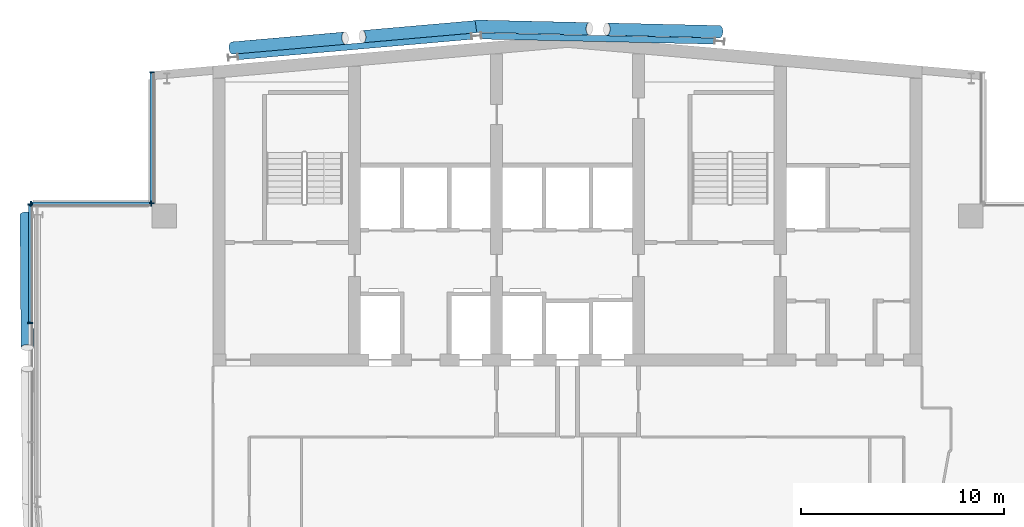
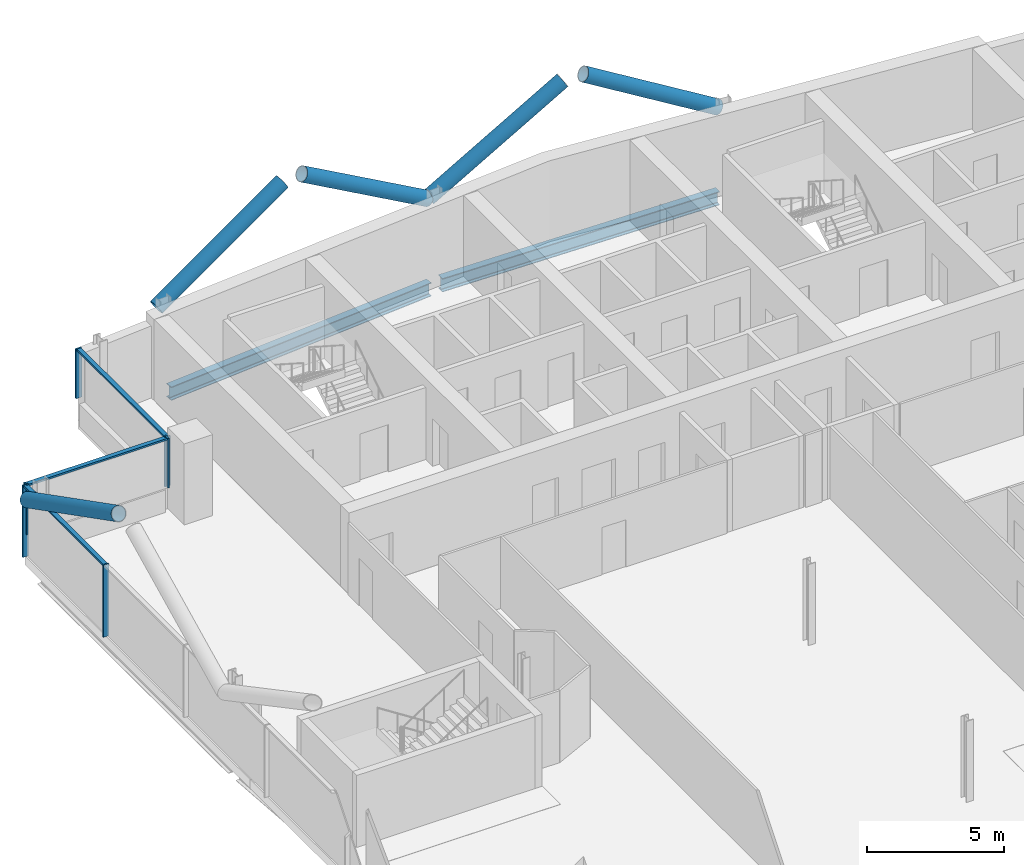
# One storey, part 10 of 25: 14 members, 2 beams, 3 elements without a shape of their own.
"""IFC4 building model written with IfcOpenShell, lengths in metres."""

from ifc_helpers import new_model, si_unit, direction, frame, origin, origin_2d, place, context, subcontext, project, spatial, rectangle, hollow_circle, i_section, extrude, material, material_profile, profile_set, type_object, element, aggregate, save


model = new_model("IFC4")

# Units and contexts
model_context = context("Model", 3, precision=1e-05, world=origin(), true_north=direction((0.0, 1.0)))
body_context = subcontext(model_context, "Body", "Model", "MODEL_VIEW")
ifc_project = project(units=[si_unit("LENGTHUNIT", "METRE"), si_unit("AREAUNIT", "SQUARE_METRE"), si_unit("VOLUMEUNIT", "CUBIC_METRE"), si_unit("PLANEANGLEUNIT", "RADIAN"), si_unit("MASSUNIT", "GRAM", prefix="KILO")], contexts=[model_context])

# Site, building, storey
site_placement = place(None, origin())
site = spatial("IfcSite", under=ifc_project, at=site_placement, CompositionType="ELEMENT")
building_placement = place(site_placement, origin())
building = spatial("IfcBuilding", under=site, at=building_placement, Name="Wharfspan Tower", CompositionType="ELEMENT")
storey_placement = place(building_placement, frame((0.0, 0.0, 232.300049)))
storey = spatial("IfcBuildingStorey", under=building, at=storey_placement, Name="L58", CompositionType="ELEMENT", Elevation=232.300049)

# Beams
ifc_material_1 = material(Name="Steel S355J2", Category="steel")
ifc_material_profile_1 = material_profile(ifc_material_1, i_section(OverallWidth=0.300049, OverallDepth=0.600098, WebThickness=0.015381, FlangeThickness=0.030029, FilletRadius=0.0271, at=origin_2d()))
ifc_profile_set_1 = profile_set([ifc_material_profile_1], Name="Steel S355J2")
beam_type = type_object("IfcBeamType", Name="Edge beam HEB 600", PredefinedType="SPANDREL", material=ifc_profile_set_1)
beam_1_placement = place(storey_placement, frame((35.754883, 50.263428, -0.699951), z_axis=(-0.996194, -0.087165, 0.0), x_axis=(0.087165, -0.996194, 0.0)))
element("IfcBeam", 1, at=beam_1_placement, inside=storey, type_object=beam_type, Name="Edge beam N1 L58 R.2 to R.1", PredefinedType="SPANDREL", context=body_context, shape_type="SweptSolid", body=[
    extrude(i_section(OverallWidth=0.300049, OverallDepth=0.600098, WebThickness=0.015381, FlangeThickness=0.030029, FilletRadius=0.0271, at=origin_2d()), origin(), (0.0, 0.0, 1.0), 11.553711),
])
beam_2_placement = place(storey_placement, frame((36.247559, 50.279297, -0.699951), z_axis=(0.999761, -0.021871, 0.0), x_axis=(0.021871, 0.999761, 0.0)))
element("IfcBeam", 2, at=beam_2_placement, inside=storey, type_object=beam_type, Name="Edge beam L58 R.2 to R.3", PredefinedType="SPANDREL", context=body_context, shape_type="SweptSolid", body=[
    extrude(i_section(OverallWidth=0.300049, OverallDepth=0.600098, WebThickness=0.015381, FlangeThickness=0.030029, FilletRadius=0.0271, at=origin_2d()), origin(), (0.0, 0.0, 1.0), 11.508545),
])

# Curtain wall, members
ifc_material_2 = material(Name="Aluminium 6063-T6", Category="aluminium")
curtain_wall_type = type_object("IfcCurtainWallType", Name="CURTAIN WALL PROW AND END", PredefinedType="NOTDEFINED", material=ifc_material_2)
curtain_wall_1_placement = place(storey_placement, origin())
curtain_wall_1 = element("IfcCurtainWall", 3, at=curtain_wall_1_placement, inside=storey, type_object=curtain_wall_type, Name="Curtain wall NRW-V", PredefinedType="NOTDEFINED")
ifc_material_profile_2 = material_profile(ifc_material_2, rectangle(XDim=0.23999, YDim=0.060059, at=origin_2d()))
ifc_profile_set_2 = profile_set([ifc_material_profile_2], Name="Aluminium 6063-T6")
member_type_1 = type_object("IfcMemberType", Name="MULLION PROW AND END 60x240", PredefinedType="MULLION", material=ifc_profile_set_2)
member_1_placement = place(storey_placement, frame((20.0, 48.494873, 1.0), z_axis=(0.0, 0.0, 1.0), x_axis=(1.0, 0.0, 0.0)))
member_1 = element("IfcMember", 4, at=member_1_placement, type_object=member_type_1, Name="Curtain wall NRW-V mullion 1", PredefinedType="MULLION", context=body_context, shape_type="SweptSolid", body=[
    extrude(rectangle(XDim=0.23999, YDim=0.060059, at=origin_2d()), origin(), (0.0, 0.0, 1.0), 2.199951),
])
member_2_placement = place(storey_placement, frame((20.0, 42.030029, 1.0), z_axis=(0.0, 0.0, 1.0), x_axis=(1.0, 0.0, 0.0)))
member_2 = element("IfcMember", 5, at=member_2_placement, type_object=member_type_1, Name="Curtain wall NRW-V mullion 2", PredefinedType="MULLION", context=body_context, shape_type="SweptSolid", body=[
    extrude(rectangle(XDim=0.23999, YDim=0.060059, at=origin_2d()), origin(), (0.0, 0.0, 1.0), 2.199951),
])

curtain_wall_2_placement = place(storey_placement, origin())
curtain_wall_2 = element("IfcCurtainWall", 6, at=curtain_wall_2_placement, inside=storey, type_object=curtain_wall_type, Name="Curtain wall NRW-H", PredefinedType="NOTDEFINED")
member_3_placement = place(storey_placement, frame((19.969971, 42.0, 1.0), z_axis=(0.0, 0.0, 1.0), x_axis=(0.0, -1.0, 0.0)))
member_3 = element("IfcMember", 7, at=member_3_placement, type_object=member_type_1, Name="Curtain wall NRW-H mullion 1", PredefinedType="MULLION", context=body_context, shape_type="SweptSolid", body=[
    extrude(rectangle(XDim=0.23999, YDim=0.060059, at=origin_2d()), origin(), (0.0, 0.0, 1.0), 2.199951),
])
member_4_placement = place(storey_placement, frame((14.030029, 42.0, 1.0), z_axis=(0.0, 0.0, 1.0), x_axis=(0.0, -1.0, 0.0)))
member_4 = element("IfcMember", 8, at=member_4_placement, type_object=member_type_1, Name="Curtain wall NRW-H mullion 2", PredefinedType="MULLION", context=body_context, shape_type="SweptSolid", body=[
    extrude(rectangle(XDim=0.23999, YDim=0.060059, at=origin_2d()), origin(), (0.0, 0.0, 1.0), 2.199951),
])

curtain_wall_3_placement = place(storey_placement, origin())
curtain_wall_3 = element("IfcCurtainWall", 9, at=curtain_wall_3_placement, inside=storey, type_object=curtain_wall_type, Name="Curtain wall W", PredefinedType="NOTDEFINED")
member_5_placement = place(storey_placement, frame((14.0, 41.969971, 0.0), z_axis=(0.0, 0.0, 1.0), x_axis=(1.0, 0.0, 0.0)))
member_5 = element("IfcMember", 10, at=member_5_placement, type_object=member_type_1, Name="Curtain wall W mullion 1", PredefinedType="MULLION", context=body_context, shape_type="SweptSolid", body=[
    extrude(rectangle(XDim=0.23999, YDim=0.060059, at=origin_2d()), origin(), (0.0, 0.0, 1.0), 3.199951),
])
member_6_placement = place(storey_placement, frame((14.0, 36.120117, 0.0), z_axis=(0.0, 0.0, 1.0), x_axis=(1.0, 0.0, 0.0)))
member_6 = element("IfcMember", 11, at=member_6_placement, type_object=member_type_1, Name="Curtain wall W mullion 2", PredefinedType="MULLION", context=body_context, shape_type="SweptSolid", body=[
    extrude(rectangle(XDim=0.23999, YDim=0.060059, at=origin_2d()), origin(), (0.0, 0.0, 1.0), 3.199951),
])

# Members
ifc_material_3 = material(Name="Steel S460NH", Category="steel")
ifc_material_profile_3 = material_profile(ifc_material_3, hollow_circle(Radius=0.304932, WallThickness=0.024902, at=origin_2d()))
ifc_profile_set_3 = profile_set([ifc_material_profile_3], Name="Steel S460NH")
member_type_2 = type_object("IfcMemberType", Name="Mega brace CHS 610x25", PredefinedType="BRACE", material=ifc_profile_set_3)
member_7_placement = place(storey_placement, frame((13.792969, 41.459717, 2.899902), z_axis=(0.007044, -0.891361, 0.45324), x_axis=(0.999973, 0.007904, 3e-06)))
element("IfcMember", 12, at=member_7_placement, inside=storey, type_object=member_type_2, Name="Mega brace W3 L59 part 1", PredefinedType="BRACE", context=body_context, shape_type="SweptSolid", body=[
    extrude(hollow_circle(Radius=0.304932, WallThickness=0.024902, at=origin_2d()), origin(), (0.0, 0.0, 1.0), 7.347168),
])
for number, where, z_axis, x_axis, name in (
    (13, (23.960693, 49.685059, 2.899902), (0.855077, 0.074813, 0.513076), (-0.087161, 0.996195, 2e-06), "Mega brace N7 L59 part 1"),
    (14, (35.960693, 50.735107, 2.899902), (-0.855087, -0.07481, 0.51306), (0.087154, -0.996194, -2e-06), "Mega brace N7 L59 part 3"),
):
    element("IfcMember", number, at=place(storey_placement, frame(where, z_axis=z_axis, x_axis=x_axis)), inside=storey, type_object=member_type_2, Name=name, PredefinedType="BRACE", context=body_context, shape_type="SweptSolid", body=[
        extrude(hollow_circle(Radius=0.304932, WallThickness=0.024902, at=origin_2d()), origin(), (0.0, 0.0, 1.0), 6.510498),
    ])
for number, where, z_axis, x_axis, name in (
    (15, (36.010498, 50.762939, 2.899902), (0.85732, -0.019474, 0.514415), (0.022708, 0.999746, 2e-06), "Mega brace N8 L59 part 1"),
    (16, (48.010254, 50.490234, 2.899902), (-0.85732, 0.019474, 0.514415), (-0.022708, -0.999746, 2e-06), "Mega brace N8 L59 part 3"),
):
    element("IfcMember", number, at=place(storey_placement, frame(where, z_axis=z_axis, x_axis=x_axis)), inside=storey, type_object=member_type_2, Name=name, PredefinedType="BRACE", context=body_context, shape_type="SweptSolid", body=[
        extrude(hollow_circle(Radius=0.304932, WallThickness=0.024902, at=origin_2d()), origin(), (0.0, 0.0, 1.0), 6.493896),
    ])

# Member
ifc_material_profile_4 = material_profile(ifc_material_2, rectangle(XDim=0.179932, YDim=0.080078, at=origin_2d()))
ifc_profile_set_4 = profile_set([ifc_material_profile_4], Name="Aluminium 6063-T6")
member_type_3 = type_object("IfcMemberType", Name="TRANSOM PROW AND END 80x180", PredefinedType="USERDEFINED", material=ifc_profile_set_4)
member_8_placement = place(storey_placement, frame((20.0, 48.464844, 3.159912), z_axis=(0.0, -1.0, 0.0), x_axis=(1.0, 0.0, 0.0)))
member_8 = element("IfcMember", 17, at=member_8_placement, type_object=member_type_3, Name="Curtain wall NRW-V transom 1", ObjectType="TRANSOM", PredefinedType="USERDEFINED", context=body_context, shape_type="SweptSolid", body=[
    extrude(rectangle(XDim=0.179932, YDim=0.080078, at=origin_2d()), origin(), (0.0, 0.0, 1.0), 6.404785),
])

aggregate(curtain_wall_1, [member_1, member_2, member_8])

member_9_placement = place(storey_placement, frame((19.939941, 42.0, 3.159912), z_axis=(-1.0, 0.0, 0.0), x_axis=(0.0, -1.0, 0.0)))
member_9 = element("IfcMember", 18, at=member_9_placement, type_object=member_type_3, Name="Curtain wall NRW-H transom 1", ObjectType="TRANSOM", PredefinedType="USERDEFINED", context=body_context, shape_type="SweptSolid", body=[
    extrude(rectangle(XDim=0.179932, YDim=0.080078, at=origin_2d()), origin(), (0.0, 0.0, 1.0), 5.879883),
])

aggregate(curtain_wall_2, [member_3, member_4, member_9])

member_10_placement = place(storey_placement, frame((14.0, 41.939941, 3.159912), z_axis=(0.0, -1.0, 0.0), x_axis=(1.0, 0.0, 0.0)))
member_10 = element("IfcMember", 19, at=member_10_placement, type_object=member_type_3, Name="Curtain wall W transom 1", ObjectType="TRANSOM", PredefinedType="USERDEFINED", context=body_context, shape_type="SweptSolid", body=[
    extrude(rectangle(XDim=0.179932, YDim=0.080078, at=origin_2d()), origin(), (0.0, 0.0, 1.0), 5.790039),
])

aggregate(curtain_wall_3, [member_5, member_6, member_10])

save(model, "model.ifc")
